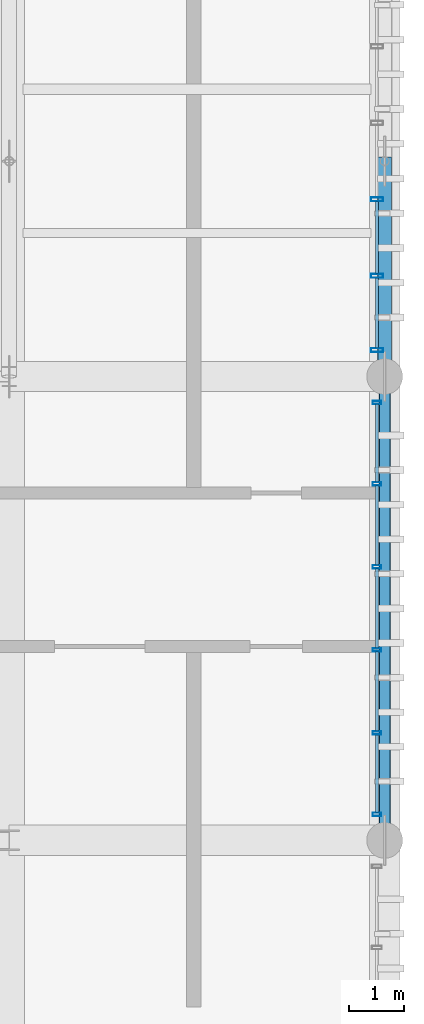
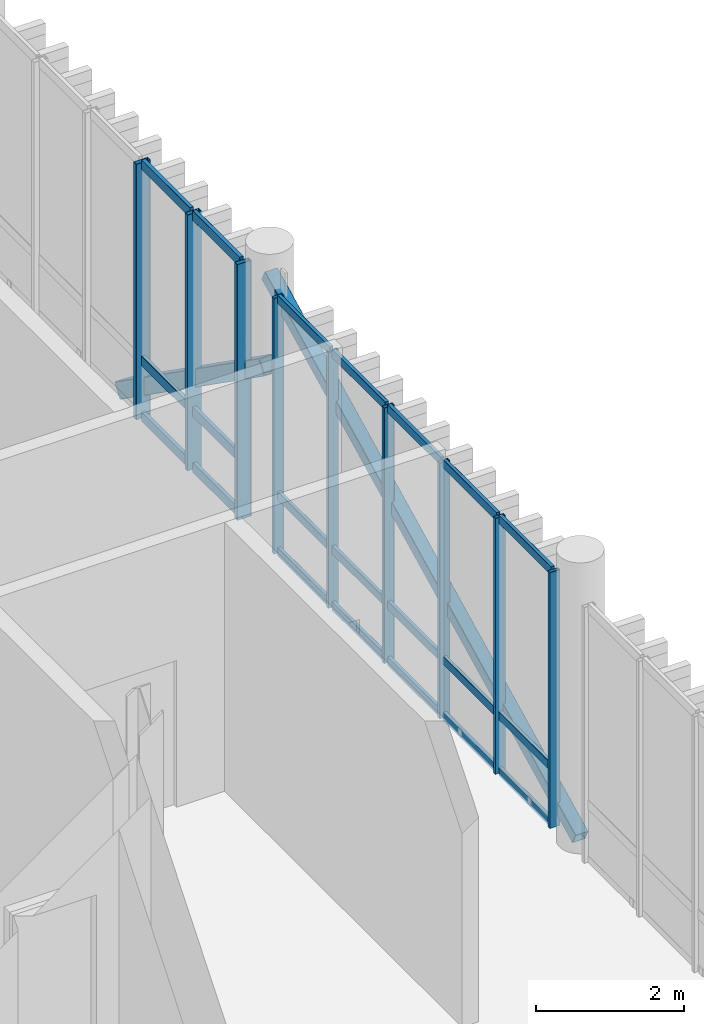
# One storey, part 53 of 81: 32 members, 2 elements without a shape of their own.
"""IFC4 building model written with IfcOpenShell, lengths in metres."""

from ifc_helpers import new_model, si_unit, direction, frame, origin_with_axes, origin_2d_with_axis, place, context, subcontext, project, spatial, hollow_rectangle, extrude, material, material_profile, profile_set, type_object, element, aggregate, save


model = new_model("IFC4")

# Units and contexts
model_context = context("Model", 3, precision=1e-05, world=origin_with_axes(), true_north=direction((0.0, 1.0)))
body_context = subcontext(model_context, "Body", "Model", "MODEL_VIEW")
ifc_project = project(units=[si_unit("LENGTHUNIT", "METRE"), si_unit("AREAUNIT", "SQUARE_METRE"), si_unit("VOLUMEUNIT", "CUBIC_METRE"), si_unit("PLANEANGLEUNIT", "RADIAN"), si_unit("MASSUNIT", "GRAM", prefix="KILO"), si_unit("THERMODYNAMICTEMPERATUREUNIT", "KELVIN")], contexts=[model_context])

# Site, building, storey
site_placement = place(None, origin_with_axes())
site = spatial("IfcSite", under=ifc_project, at=site_placement, CompositionType="ELEMENT")
building_placement = place(site_placement, origin_with_axes())
building = spatial("IfcBuilding", under=site, at=building_placement, Name="Montbau Bow Law Courts", CompositionType="ELEMENT")
storey_placement = place(building_placement, frame((0.0, 0.0, 24.9), z_axis=(0.0, 0.0, 1.0), x_axis=(1.0, 0.0, 0.0)))
storey = spatial("IfcBuildingStorey", under=building, at=storey_placement, Name="L05", CompositionType="ELEMENT", Elevation=24.9)

# Members
ifc_material_1 = material(Name="Steel CSA G40.21 Grade 350W (350 MPa)", Category="steel")
ifc_material_profile_1 = material_profile(ifc_material_1, hollow_rectangle(XDim=0.254, YDim=0.254, WallThickness=0.0127, InnerFilletRadius=0.0254, OuterFilletRadius=0.0127, at=origin_2d_with_axis()), Name="HSS254X254X13", Category="Main", Priority=0)
ifc_profile_set_1 = profile_set([ifc_material_profile_1], Name="Steel CSA G40.21 Grade 350W (350 MPa)")
member_type_1 = type_object("IfcMemberType", Name="M-BRC-01", PredefinedType="BRACE", material=ifc_profile_set_1)
member_1_placement = place(None, frame((169.4, 103.2, 27.65), z_axis=(0.0, 0.817258134, -0.576271761), x_axis=(-1.0, 0.0, 0.0)))
element("IfcMember", 1, at=member_1_placement, inside=storey, type_object=member_type_1, Name="Diagonal brace BRC-L05-027", PredefinedType="BRACE", context=body_context, shape_type="SweptSolid", body=[
    extrude(hollow_rectangle(XDim=0.254, YDim=0.254, WallThickness=0.0127, InnerFilletRadius=0.0254, OuterFilletRadius=0.0127, at=origin_2d_with_axis()), origin_with_axes(), (0.0, 0.0, 1.0), 4.772054),
])
ifc_material_profile_2 = material_profile(ifc_material_1, hollow_rectangle(XDim=0.203, YDim=0.203, WallThickness=0.0111, InnerFilletRadius=0.0222, OuterFilletRadius=0.0111, at=origin_2d_with_axis()), Name="HSS203X203X11", Category="Main", Priority=0)
ifc_profile_set_2 = profile_set([ifc_material_profile_2], Name="Steel CSA G40.21 Grade 350W (350 MPa)")
member_type_2 = type_object("IfcMemberType", Name="M-BRC-02", PredefinedType="BRACE", material=ifc_profile_set_2)
member_2_placement = place(None, frame((169.4, 94.8, 24.95), z_axis=(0.0, 0.894128949, 0.447809582), x_axis=(-1.0, 0.0, 0.0)))
element("IfcMember", 2, at=member_2_placement, inside=storey, type_object=member_type_2, Name="Diagonal brace CBF-L05-077A", PredefinedType="BRACE", context=body_context, shape_type="SweptSolid", body=[
    extrude(hollow_rectangle(XDim=0.203, YDim=0.203, WallThickness=0.0111, InnerFilletRadius=0.0222, OuterFilletRadius=0.0111, at=origin_2d_with_axis()), origin_with_axes(), (0.0, 0.0, 1.0), 9.394618),
])

# Curtain wall, members
ifc_material_2 = material(Name="Thermally Broken Extruded Aluminium AA 6063-T6", Category="aluminium")
curtain_wall_type = type_object("IfcCurtainWallType", Name="CW-SLT-02", PredefinedType="NOTDEFINED", material=ifc_material_2)
curtain_wall_1_placement = place(None, frame((169.26, 103.64, 24.9), z_axis=(0.0, 0.0, 1.0), x_axis=(1.0, 0.0, 0.0)))
curtain_wall_1 = element("IfcCurtainWall", 3, at=curtain_wall_1_placement, inside=storey, type_object=curtain_wall_type, Name="CW-L05-348:cw_0348", PredefinedType="NOTDEFINED")
ifc_material_profile_3 = material_profile(ifc_material_2, hollow_rectangle(XDim=0.075, YDim=0.22, WallThickness=0.005, InnerFilletRadius=0.01, OuterFilletRadius=0.005, at=origin_2d_with_axis()), Name="CWM-220X75", Category="Main", Priority=0)
ifc_profile_set_3 = profile_set([ifc_material_profile_3], Name="Thermally Broken Extruded Aluminium AA 6063-T6")
member_type_3 = type_object("IfcMemberType", Name="M-MUL-01", PredefinedType="MULLION", material=ifc_profile_set_3)
member_3_placement = place(None, frame((169.26, 103.677, 24.9), z_axis=(0.0, 0.0, 1.0), x_axis=(0.0, 1.0, 0.0)))
member_3 = element("IfcMember", 4, at=member_3_placement, type_object=member_type_3, Name="CW-L05-348-M01:cw_0348_M01", PredefinedType="MULLION", context=body_context, shape_type="SweptSolid", body=[
    extrude(hollow_rectangle(XDim=0.075, YDim=0.22, WallThickness=0.005, InnerFilletRadius=0.01, OuterFilletRadius=0.005, at=origin_2d_with_axis()), origin_with_axes(), (0.0, 0.0, 1.0), 4.22),
])
member_4_placement = place(None, frame((169.26, 105.024, 24.9), z_axis=(0.0, 0.0, 1.0), x_axis=(0.0, 1.0, 0.0)))
member_4 = element("IfcMember", 5, at=member_4_placement, type_object=member_type_3, Name="CW-L05-348-M02:cw_0348_M02", PredefinedType="MULLION", context=body_context, shape_type="SweptSolid", body=[
    extrude(hollow_rectangle(XDim=0.075, YDim=0.22, WallThickness=0.005, InnerFilletRadius=0.01, OuterFilletRadius=0.005, at=origin_2d_with_axis()), origin_with_axes(), (0.0, 0.0, 1.0), 4.22),
])
member_5_placement = place(None, frame((169.26, 106.408, 24.9), z_axis=(0.0, 0.0, 1.0), x_axis=(0.0, 1.0, 0.0)))
member_5 = element("IfcMember", 6, at=member_5_placement, type_object=member_type_3, Name="CW-L05-348-M03:cw_0348_M03", PredefinedType="MULLION", context=body_context, shape_type="SweptSolid", body=[
    extrude(hollow_rectangle(XDim=0.075, YDim=0.22, WallThickness=0.005, InnerFilletRadius=0.01, OuterFilletRadius=0.005, at=origin_2d_with_axis()), origin_with_axes(), (0.0, 0.0, 1.0), 4.22),
])

curtain_wall_2_placement = place(None, frame((169.26, 95.24, 24.9), z_axis=(0.0, 0.0, 1.0), x_axis=(1.0, 0.0, 0.0)))
curtain_wall_2 = element("IfcCurtainWall", 7, at=curtain_wall_2_placement, inside=storey, type_object=curtain_wall_type, Name="CW-L05-347:cw_0347", PredefinedType="NOTDEFINED")
ifc_material_profile_4 = material_profile(ifc_material_2, hollow_rectangle(XDim=0.06, YDim=0.16, WallThickness=0.004, InnerFilletRadius=0.008, OuterFilletRadius=0.004, at=origin_2d_with_axis()), Name="CWM-160X60", Category="Main", Priority=0)
ifc_profile_set_4 = profile_set([ifc_material_profile_4], Name="Thermally Broken Extruded Aluminium AA 6063-T6")
member_type_4 = type_object("IfcMemberType", Name="M-MUL-03", PredefinedType="MULLION", material=ifc_profile_set_4)
member_6_placement = place(None, frame((169.26, 95.27, 24.9), z_axis=(0.0, 0.0, 1.0), x_axis=(0.0, 1.0, 0.0)))
member_6 = element("IfcMember", 8, at=member_6_placement, type_object=member_type_4, Name="CW-L05-347-M01:cw_0347_M01", PredefinedType="MULLION", context=body_context, shape_type="SweptSolid", body=[
    extrude(hollow_rectangle(XDim=0.06, YDim=0.16, WallThickness=0.004, InnerFilletRadius=0.008, OuterFilletRadius=0.004, at=origin_2d_with_axis()), origin_with_axes(), (0.0, 0.0, 1.0), 4.22),
])
member_7_placement = place(None, frame((169.26, 96.744, 24.9), z_axis=(0.0, 0.0, 1.0), x_axis=(0.0, 1.0, 0.0)))
member_7 = element("IfcMember", 9, at=member_7_placement, type_object=member_type_4, Name="CW-L05-347-M02:cw_0347_M02", PredefinedType="MULLION", context=body_context, shape_type="SweptSolid", body=[
    extrude(hollow_rectangle(XDim=0.06, YDim=0.16, WallThickness=0.004, InnerFilletRadius=0.008, OuterFilletRadius=0.004, at=origin_2d_with_axis()), origin_with_axes(), (0.0, 0.0, 1.0), 4.22),
])
member_8_placement = place(None, frame((169.26, 98.248, 24.9), z_axis=(0.0, 0.0, 1.0), x_axis=(0.0, 1.0, 0.0)))
member_8 = element("IfcMember", 10, at=member_8_placement, type_object=member_type_4, Name="CW-L05-347-M03:cw_0347_M03", PredefinedType="MULLION", context=body_context, shape_type="SweptSolid", body=[
    extrude(hollow_rectangle(XDim=0.06, YDim=0.16, WallThickness=0.004, InnerFilletRadius=0.008, OuterFilletRadius=0.004, at=origin_2d_with_axis()), origin_with_axes(), (0.0, 0.0, 1.0), 4.22),
])
member_9_placement = place(None, frame((169.26, 99.752, 24.9), z_axis=(0.0, 0.0, 1.0), x_axis=(0.0, 1.0, 0.0)))
member_9 = element("IfcMember", 11, at=member_9_placement, type_object=member_type_4, Name="CW-L05-347-M04:cw_0347_M04", PredefinedType="MULLION", context=body_context, shape_type="SweptSolid", body=[
    extrude(hollow_rectangle(XDim=0.06, YDim=0.16, WallThickness=0.004, InnerFilletRadius=0.008, OuterFilletRadius=0.004, at=origin_2d_with_axis()), origin_with_axes(), (0.0, 0.0, 1.0), 4.22),
])
member_10_placement = place(None, frame((169.26, 101.256, 24.9), z_axis=(0.0, 0.0, 1.0), x_axis=(0.0, 1.0, 0.0)))
member_10 = element("IfcMember", 12, at=member_10_placement, type_object=member_type_4, Name="CW-L05-347-M05:cw_0347_M05", PredefinedType="MULLION", context=body_context, shape_type="SweptSolid", body=[
    extrude(hollow_rectangle(XDim=0.06, YDim=0.16, WallThickness=0.004, InnerFilletRadius=0.008, OuterFilletRadius=0.004, at=origin_2d_with_axis()), origin_with_axes(), (0.0, 0.0, 1.0), 4.22),
])
member_11_placement = place(None, frame((169.26, 102.73, 24.9), z_axis=(0.0, 0.0, 1.0), x_axis=(0.0, 1.0, 0.0)))
member_11 = element("IfcMember", 13, at=member_11_placement, type_object=member_type_4, Name="CW-L05-347-M06:cw_0347_M06", PredefinedType="MULLION", context=body_context, shape_type="SweptSolid", body=[
    extrude(hollow_rectangle(XDim=0.06, YDim=0.16, WallThickness=0.004, InnerFilletRadius=0.008, OuterFilletRadius=0.004, at=origin_2d_with_axis()), origin_with_axes(), (0.0, 0.0, 1.0), 4.22),
])

# Member
ifc_material_profile_5 = material_profile(ifc_material_2, hollow_rectangle(XDim=0.06, YDim=0.16, WallThickness=0.004, InnerFilletRadius=0.008, OuterFilletRadius=0.004, at=origin_2d_with_axis()), Name="CWT-160X60", Category="Main", Priority=0)
ifc_profile_set_5 = profile_set([ifc_material_profile_5], Name="Thermally Broken Extruded Aluminium AA 6063-T6")
member_type_5 = type_object("IfcMemberType", Name="M-TRN-01", PredefinedType="USERDEFINED", material=ifc_profile_set_5)
member_12_placement = place(None, frame((169.26, 103.716, 24.93), z_axis=(0.0, 1.0, 0.0), x_axis=(-1.0, 0.0, 0.0)))
member_12 = element("IfcMember", 14, at=member_12_placement, type_object=member_type_5, Name="CW-L05-348-T01-1:cw_0348_T01_1", ObjectType="TRANSOM", PredefinedType="USERDEFINED", context=body_context, shape_type="SweptSolid", body=[
    extrude(hollow_rectangle(XDim=0.06, YDim=0.16, WallThickness=0.004, InnerFilletRadius=0.008, OuterFilletRadius=0.004, at=origin_2d_with_axis()), origin_with_axes(), (0.0, 0.0, 1.0), 1.268),
])

member_13_placement = place(None, frame((169.26, 103.716, 25.85), z_axis=(0.0, 1.0, 0.0), x_axis=(-1.0, 0.0, 0.0)))
member_13 = element("IfcMember", 15, at=member_13_placement, type_object=member_type_5, Name="CW-L05-348-T01-2:cw_0348_T01_2", ObjectType="TRANSOM", PredefinedType="USERDEFINED", context=body_context, shape_type="SweptSolid", body=[
    extrude(hollow_rectangle(XDim=0.06, YDim=0.16, WallThickness=0.004, InnerFilletRadius=0.008, OuterFilletRadius=0.004, at=origin_2d_with_axis()), origin_with_axes(), (0.0, 0.0, 1.0), 1.268),
])

member_14_placement = place(None, frame((169.26, 103.716, 29.09), z_axis=(0.0, 1.0, 0.0), x_axis=(-1.0, 0.0, 0.0)))
member_14 = element("IfcMember", 16, at=member_14_placement, type_object=member_type_5, Name="CW-L05-348-T01-3:cw_0348_T01_3", ObjectType="TRANSOM", PredefinedType="USERDEFINED", context=body_context, shape_type="SweptSolid", body=[
    extrude(hollow_rectangle(XDim=0.06, YDim=0.16, WallThickness=0.004, InnerFilletRadius=0.008, OuterFilletRadius=0.004, at=origin_2d_with_axis()), origin_with_axes(), (0.0, 0.0, 1.0), 1.268),
])

member_15_placement = place(None, frame((169.26, 105.063, 24.93), z_axis=(0.0, 1.0, 0.0), x_axis=(-1.0, 0.0, 0.0)))
member_15 = element("IfcMember", 17, at=member_15_placement, type_object=member_type_5, Name="CW-L05-348-T02-1:cw_0348_T02_1", ObjectType="TRANSOM", PredefinedType="USERDEFINED", context=body_context, shape_type="SweptSolid", body=[
    extrude(hollow_rectangle(XDim=0.06, YDim=0.16, WallThickness=0.004, InnerFilletRadius=0.008, OuterFilletRadius=0.004, at=origin_2d_with_axis()), origin_with_axes(), (0.0, 0.0, 1.0), 1.305),
])

member_16_placement = place(None, frame((169.26, 105.063, 25.85), z_axis=(0.0, 1.0, 0.0), x_axis=(-1.0, 0.0, 0.0)))
member_16 = element("IfcMember", 18, at=member_16_placement, type_object=member_type_5, Name="CW-L05-348-T02-2:cw_0348_T02_2", ObjectType="TRANSOM", PredefinedType="USERDEFINED", context=body_context, shape_type="SweptSolid", body=[
    extrude(hollow_rectangle(XDim=0.06, YDim=0.16, WallThickness=0.004, InnerFilletRadius=0.008, OuterFilletRadius=0.004, at=origin_2d_with_axis()), origin_with_axes(), (0.0, 0.0, 1.0), 1.305),
])

member_17_placement = place(None, frame((169.26, 105.063, 29.09), z_axis=(0.0, 1.0, 0.0), x_axis=(-1.0, 0.0, 0.0)))
member_17 = element("IfcMember", 19, at=member_17_placement, type_object=member_type_5, Name="CW-L05-348-T02-3:cw_0348_T02_3", ObjectType="TRANSOM", PredefinedType="USERDEFINED", context=body_context, shape_type="SweptSolid", body=[
    extrude(hollow_rectangle(XDim=0.06, YDim=0.16, WallThickness=0.004, InnerFilletRadius=0.008, OuterFilletRadius=0.004, at=origin_2d_with_axis()), origin_with_axes(), (0.0, 0.0, 1.0), 1.305),
])

aggregate(curtain_wall_1, [member_3, member_4, member_5, member_12, member_13, member_14, member_15, member_16, member_17])

ifc_material_profile_6 = material_profile(ifc_material_2, hollow_rectangle(XDim=0.055, YDim=0.14, WallThickness=0.004, InnerFilletRadius=0.008, OuterFilletRadius=0.004, at=origin_2d_with_axis()), Name="CWT-140X55", Category="Main", Priority=0)
ifc_profile_set_6 = profile_set([ifc_material_profile_6], Name="Thermally Broken Extruded Aluminium AA 6063-T6")
member_type_6 = type_object("IfcMemberType", Name="M-TRN-02", PredefinedType="USERDEFINED", material=ifc_profile_set_6)
member_18_placement = place(None, frame((169.26, 95.302, 24.927), z_axis=(0.0, 1.0, 0.0), x_axis=(-1.0, 0.0, 0.0)))
member_18 = element("IfcMember", 20, at=member_18_placement, type_object=member_type_6, Name="CW-L05-347-T01-1:cw_0347_T01_1", ObjectType="TRANSOM", PredefinedType="USERDEFINED", context=body_context, shape_type="SweptSolid", body=[
    extrude(hollow_rectangle(XDim=0.055, YDim=0.14, WallThickness=0.004, InnerFilletRadius=0.008, OuterFilletRadius=0.004, at=origin_2d_with_axis()), origin_with_axes(), (0.0, 0.0, 1.0), 1.41),
])

member_19_placement = place(None, frame((169.26, 95.302, 25.85), z_axis=(0.0, 1.0, 0.0), x_axis=(-1.0, 0.0, 0.0)))
member_19 = element("IfcMember", 21, at=member_19_placement, type_object=member_type_6, Name="CW-L05-347-T01-2:cw_0347_T01_2", ObjectType="TRANSOM", PredefinedType="USERDEFINED", context=body_context, shape_type="SweptSolid", body=[
    extrude(hollow_rectangle(XDim=0.055, YDim=0.14, WallThickness=0.004, InnerFilletRadius=0.008, OuterFilletRadius=0.004, at=origin_2d_with_axis()), origin_with_axes(), (0.0, 0.0, 1.0), 1.41),
])

member_20_placement = place(None, frame((169.26, 95.302, 29.093), z_axis=(0.0, 1.0, 0.0), x_axis=(-1.0, 0.0, 0.0)))
member_20 = element("IfcMember", 22, at=member_20_placement, type_object=member_type_6, Name="CW-L05-347-T01-3:cw_0347_T01_3", ObjectType="TRANSOM", PredefinedType="USERDEFINED", context=body_context, shape_type="SweptSolid", body=[
    extrude(hollow_rectangle(XDim=0.055, YDim=0.14, WallThickness=0.004, InnerFilletRadius=0.008, OuterFilletRadius=0.004, at=origin_2d_with_axis()), origin_with_axes(), (0.0, 0.0, 1.0), 1.41),
])

member_21_placement = place(None, frame((169.26, 96.776, 24.927), z_axis=(0.0, 1.0, 0.0), x_axis=(-1.0, 0.0, 0.0)))
member_21 = element("IfcMember", 23, at=member_21_placement, type_object=member_type_6, Name="CW-L05-347-T02-1:cw_0347_T02_1", ObjectType="TRANSOM", PredefinedType="USERDEFINED", context=body_context, shape_type="SweptSolid", body=[
    extrude(hollow_rectangle(XDim=0.055, YDim=0.14, WallThickness=0.004, InnerFilletRadius=0.008, OuterFilletRadius=0.004, at=origin_2d_with_axis()), origin_with_axes(), (0.0, 0.0, 1.0), 1.44),
])

member_22_placement = place(None, frame((169.26, 96.776, 25.85), z_axis=(0.0, 1.0, 0.0), x_axis=(-1.0, 0.0, 0.0)))
member_22 = element("IfcMember", 24, at=member_22_placement, type_object=member_type_6, Name="CW-L05-347-T02-2:cw_0347_T02_2", ObjectType="TRANSOM", PredefinedType="USERDEFINED", context=body_context, shape_type="SweptSolid", body=[
    extrude(hollow_rectangle(XDim=0.055, YDim=0.14, WallThickness=0.004, InnerFilletRadius=0.008, OuterFilletRadius=0.004, at=origin_2d_with_axis()), origin_with_axes(), (0.0, 0.0, 1.0), 1.44),
])

member_23_placement = place(None, frame((169.26, 96.776, 29.093), z_axis=(0.0, 1.0, 0.0), x_axis=(-1.0, 0.0, 0.0)))
member_23 = element("IfcMember", 25, at=member_23_placement, type_object=member_type_6, Name="CW-L05-347-T02-3:cw_0347_T02_3", ObjectType="TRANSOM", PredefinedType="USERDEFINED", context=body_context, shape_type="SweptSolid", body=[
    extrude(hollow_rectangle(XDim=0.055, YDim=0.14, WallThickness=0.004, InnerFilletRadius=0.008, OuterFilletRadius=0.004, at=origin_2d_with_axis()), origin_with_axes(), (0.0, 0.0, 1.0), 1.44),
])

member_24_placement = place(None, frame((169.26, 98.28, 24.927), z_axis=(0.0, 1.0, 0.0), x_axis=(-1.0, 0.0, 0.0)))
member_24 = element("IfcMember", 26, at=member_24_placement, type_object=member_type_6, Name="CW-L05-347-T03-1:cw_0347_T03_1", ObjectType="TRANSOM", PredefinedType="USERDEFINED", context=body_context, shape_type="SweptSolid", body=[
    extrude(hollow_rectangle(XDim=0.055, YDim=0.14, WallThickness=0.004, InnerFilletRadius=0.008, OuterFilletRadius=0.004, at=origin_2d_with_axis()), origin_with_axes(), (0.0, 0.0, 1.0), 1.44),
])

member_25_placement = place(None, frame((169.26, 98.28, 25.85), z_axis=(0.0, 1.0, 0.0), x_axis=(-1.0, 0.0, 0.0)))
member_25 = element("IfcMember", 27, at=member_25_placement, type_object=member_type_6, Name="CW-L05-347-T03-2:cw_0347_T03_2", ObjectType="TRANSOM", PredefinedType="USERDEFINED", context=body_context, shape_type="SweptSolid", body=[
    extrude(hollow_rectangle(XDim=0.055, YDim=0.14, WallThickness=0.004, InnerFilletRadius=0.008, OuterFilletRadius=0.004, at=origin_2d_with_axis()), origin_with_axes(), (0.0, 0.0, 1.0), 1.44),
])

member_26_placement = place(None, frame((169.26, 98.28, 29.093), z_axis=(0.0, 1.0, 0.0), x_axis=(-1.0, 0.0, 0.0)))
member_26 = element("IfcMember", 28, at=member_26_placement, type_object=member_type_6, Name="CW-L05-347-T03-3:cw_0347_T03_3", ObjectType="TRANSOM", PredefinedType="USERDEFINED", context=body_context, shape_type="SweptSolid", body=[
    extrude(hollow_rectangle(XDim=0.055, YDim=0.14, WallThickness=0.004, InnerFilletRadius=0.008, OuterFilletRadius=0.004, at=origin_2d_with_axis()), origin_with_axes(), (0.0, 0.0, 1.0), 1.44),
])

member_27_placement = place(None, frame((169.26, 99.784, 24.927), z_axis=(0.0, 1.0, 0.0), x_axis=(-1.0, 0.0, 0.0)))
member_27 = element("IfcMember", 29, at=member_27_placement, type_object=member_type_6, Name="CW-L05-347-T04-1:cw_0347_T04_1", ObjectType="TRANSOM", PredefinedType="USERDEFINED", context=body_context, shape_type="SweptSolid", body=[
    extrude(hollow_rectangle(XDim=0.055, YDim=0.14, WallThickness=0.004, InnerFilletRadius=0.008, OuterFilletRadius=0.004, at=origin_2d_with_axis()), origin_with_axes(), (0.0, 0.0, 1.0), 1.44),
])

member_28_placement = place(None, frame((169.26, 99.784, 25.85), z_axis=(0.0, 1.0, 0.0), x_axis=(-1.0, 0.0, 0.0)))
member_28 = element("IfcMember", 30, at=member_28_placement, type_object=member_type_6, Name="CW-L05-347-T04-2:cw_0347_T04_2", ObjectType="TRANSOM", PredefinedType="USERDEFINED", context=body_context, shape_type="SweptSolid", body=[
    extrude(hollow_rectangle(XDim=0.055, YDim=0.14, WallThickness=0.004, InnerFilletRadius=0.008, OuterFilletRadius=0.004, at=origin_2d_with_axis()), origin_with_axes(), (0.0, 0.0, 1.0), 1.44),
])

member_29_placement = place(None, frame((169.26, 99.784, 29.093), z_axis=(0.0, 1.0, 0.0), x_axis=(-1.0, 0.0, 0.0)))
member_29 = element("IfcMember", 31, at=member_29_placement, type_object=member_type_6, Name="CW-L05-347-T04-3:cw_0347_T04_3", ObjectType="TRANSOM", PredefinedType="USERDEFINED", context=body_context, shape_type="SweptSolid", body=[
    extrude(hollow_rectangle(XDim=0.055, YDim=0.14, WallThickness=0.004, InnerFilletRadius=0.008, OuterFilletRadius=0.004, at=origin_2d_with_axis()), origin_with_axes(), (0.0, 0.0, 1.0), 1.44),
])

member_30_placement = place(None, frame((169.26, 101.288, 24.927), z_axis=(0.0, 1.0, 0.0), x_axis=(-1.0, 0.0, 0.0)))
member_30 = element("IfcMember", 32, at=member_30_placement, type_object=member_type_6, Name="CW-L05-347-T05-1:cw_0347_T05_1", ObjectType="TRANSOM", PredefinedType="USERDEFINED", context=body_context, shape_type="SweptSolid", body=[
    extrude(hollow_rectangle(XDim=0.055, YDim=0.14, WallThickness=0.004, InnerFilletRadius=0.008, OuterFilletRadius=0.004, at=origin_2d_with_axis()), origin_with_axes(), (0.0, 0.0, 1.0), 1.41),
])

member_31_placement = place(None, frame((169.26, 101.288, 25.85), z_axis=(0.0, 1.0, 0.0), x_axis=(-1.0, 0.0, 0.0)))
member_31 = element("IfcMember", 33, at=member_31_placement, type_object=member_type_6, Name="CW-L05-347-T05-2:cw_0347_T05_2", ObjectType="TRANSOM", PredefinedType="USERDEFINED", context=body_context, shape_type="SweptSolid", body=[
    extrude(hollow_rectangle(XDim=0.055, YDim=0.14, WallThickness=0.004, InnerFilletRadius=0.008, OuterFilletRadius=0.004, at=origin_2d_with_axis()), origin_with_axes(), (0.0, 0.0, 1.0), 1.41),
])

member_32_placement = place(None, frame((169.26, 101.288, 29.093), z_axis=(0.0, 1.0, 0.0), x_axis=(-1.0, 0.0, 0.0)))
member_32 = element("IfcMember", 34, at=member_32_placement, type_object=member_type_6, Name="CW-L05-347-T05-3:cw_0347_T05_3", ObjectType="TRANSOM", PredefinedType="USERDEFINED", context=body_context, shape_type="SweptSolid", body=[
    extrude(hollow_rectangle(XDim=0.055, YDim=0.14, WallThickness=0.004, InnerFilletRadius=0.008, OuterFilletRadius=0.004, at=origin_2d_with_axis()), origin_with_axes(), (0.0, 0.0, 1.0), 1.41),
])

aggregate(curtain_wall_2, [member_6, member_7, member_8, member_9, member_10, member_11, member_18, member_19, member_20, member_21, member_22, member_23, member_24, member_25, member_26, member_27, member_28, member_29, member_30, member_31, member_32])

save(model, "model.ifc")
